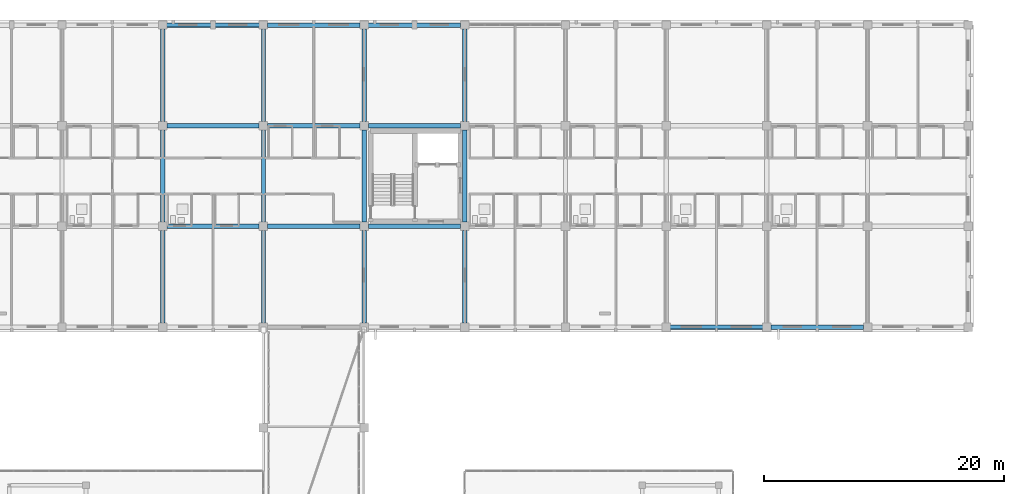
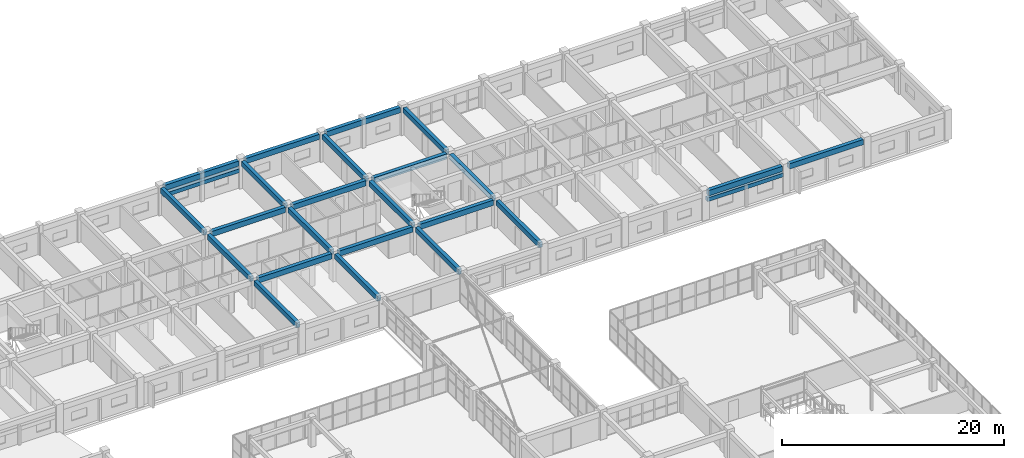
# One storey, part 83 of 148: 25 beams.
"""IFC4 building model written with IfcOpenShell, lengths in metres."""

from ifc_helpers import new_model, si_unit, direction, frame, origin, origin_2d, place, context, subcontext, project, spatial, rectangle, extrude, material, material_profile, profile_set, type_object, element, save


model = new_model("IFC4")

# Units and contexts
model_context = context("Model", 3, precision=1e-05, world=origin(), true_north=direction((0.0, 1.0)))
body_context = subcontext(model_context, "Body", "Model", "MODEL_VIEW")
ifc_project = project(units=[si_unit("LENGTHUNIT", "METRE"), si_unit("AREAUNIT", "SQUARE_METRE"), si_unit("VOLUMEUNIT", "CUBIC_METRE"), si_unit("PLANEANGLEUNIT", "RADIAN"), si_unit("MASSUNIT", "GRAM", prefix="KILO")], contexts=[model_context])

# Site, building, storey
site_placement = place(None, origin())
site = spatial("IfcSite", under=ifc_project, at=site_placement, CompositionType="ELEMENT")
building_placement = place(site_placement, origin())
building = spatial("IfcBuilding", under=site, at=building_placement, Name="Trelvath General Hospital", CompositionType="ELEMENT")
storey_placement = place(building_placement, frame((0.0, 0.0, 12.89990234375)))
storey = spatial("IfcBuildingStorey", under=building, at=storey_placement, Name="L03", CompositionType="ELEMENT", Elevation=12.89990234375)

# Beams
ifc_material_1 = material(Name="Concrete C35/45", Category="concrete")
ifc_material_profile_1 = material_profile(ifc_material_1, rectangle(XDim=0.360107421875, YDim=0.56005859375, at=origin_2d()), Name="RCB360x560")
ifc_profile_set_1 = profile_set([ifc_material_profile_1], Name="Concrete C35/45")
beam_type_1 = type_object("IfcBeamType", Name="Beam RC360x560", PredefinedType="BEAM", material=ifc_profile_set_1)
beam_1_placement = place(storey_placement, frame((67.199951171875, 92.7451171875, 2.739990234375), z_axis=(0.0, 1.0, 0.0), x_axis=(-1.0, 0.0, 0.0)))
element("IfcBeam", 1, at=beam_1_placement, inside=storey, type_object=beam_type_1, Name="Grid Beam BY-308L", PredefinedType="BEAM", context=body_context, shape_type="SweptSolid", body=[
    extrude(rectangle(XDim=0.360107421875, YDim=0.56005859375, at=origin_2d()), origin(), (0.0, 0.0, 1.0), 7.699951171875),
])
beam_2_placement = place(storey_placement, frame((67.199951171875, 101.155029296875, 2.739990234375), z_axis=(0.0, 1.0, 0.0), x_axis=(-1.0, 0.0, 0.0)))
element("IfcBeam", 2, at=beam_2_placement, inside=storey, type_object=beam_type_1, Name="Grid Beam BY-308M", PredefinedType="BEAM", context=body_context, shape_type="SweptSolid", body=[
    extrude(rectangle(XDim=0.360107421875, YDim=0.56005859375, at=origin_2d()), origin(), (0.0, 0.0, 1.0), 7.68994140625),
])
for number, where, z_axis, x_axis, name in (
    (3, (67.199951171875, 109.554931640625, 2.739990234375), (0.0, 1.0, 0.0), (-1.0, 0.0, 0.0), "Grid Beam BY-308N"),
    (4, (75.60009765625, 92.7451171875, 2.739990234375), (0.0, 1.0, 0.0), (-1.0, 0.0, 0.0), "Grid Beam BY-309L"),
):
    element("IfcBeam", number, at=place(storey_placement, frame(where, z_axis=z_axis, x_axis=x_axis)), inside=storey, type_object=beam_type_1, Name=name, PredefinedType="BEAM", context=body_context, shape_type="SweptSolid", body=[
        extrude(rectangle(XDim=0.360107421875, YDim=0.56005859375, at=origin_2d()), origin(), (0.0, 0.0, 1.0), 7.699951171875),
    ])
beam_3_placement = place(storey_placement, frame((75.60009765625, 101.155029296875, 2.739990234375), z_axis=(0.0, 1.0, 0.0), x_axis=(-1.0, 0.0, 0.0)))
element("IfcBeam", 5, at=beam_3_placement, inside=storey, type_object=beam_type_1, Name="Grid Beam BY-309M", PredefinedType="BEAM", context=body_context, shape_type="SweptSolid", body=[
    extrude(rectangle(XDim=0.360107421875, YDim=0.56005859375, at=origin_2d()), origin(), (0.0, 0.0, 1.0), 7.68994140625),
])
for number, where, z_axis, x_axis, name in (
    (6, (75.60009765625, 109.554931640625, 2.739990234375), (0.0, 1.0, 0.0), (-1.0, 0.0, 0.0), "Grid Beam BY-309N"),
    (7, (84.0, 92.7451171875, 2.739990234375), (0.0, 1.0, 0.0), (-1.0, 0.0, 0.0), "Grid Beam BY-310L"),
):
    element("IfcBeam", number, at=place(storey_placement, frame(where, z_axis=z_axis, x_axis=x_axis)), inside=storey, type_object=beam_type_1, Name=name, PredefinedType="BEAM", context=body_context, shape_type="SweptSolid", body=[
        extrude(rectangle(XDim=0.360107421875, YDim=0.56005859375, at=origin_2d()), origin(), (0.0, 0.0, 1.0), 7.699951171875),
    ])
beam_4_placement = place(storey_placement, frame((84.0, 101.155029296875, 2.739990234375), z_axis=(0.0, 1.0, 0.0), x_axis=(-1.0, 0.0, 0.0)))
element("IfcBeam", 8, at=beam_4_placement, inside=storey, type_object=beam_type_1, Name="Grid Beam BY-310M", PredefinedType="BEAM", context=body_context, shape_type="SweptSolid", body=[
    extrude(rectangle(XDim=0.360107421875, YDim=0.56005859375, at=origin_2d()), origin(), (0.0, 0.0, 1.0), 7.68994140625),
])
for number, where, z_axis, x_axis, name in (
    (9, (84.0, 109.554931640625, 2.739990234375), (0.0, 1.0, 0.0), (-1.0, 0.0, 0.0), "Grid Beam BY-310N"),
    (10, (92.39990234375, 92.7451171875, 2.739990234375), (0.0, 1.0, 0.0), (-1.0, 0.0, 0.0), "Grid Beam BY-311L"),
):
    element("IfcBeam", number, at=place(storey_placement, frame(where, z_axis=z_axis, x_axis=x_axis)), inside=storey, type_object=beam_type_1, Name=name, PredefinedType="BEAM", context=body_context, shape_type="SweptSolid", body=[
        extrude(rectangle(XDim=0.360107421875, YDim=0.56005859375, at=origin_2d()), origin(), (0.0, 0.0, 1.0), 7.699951171875),
    ])
beam_5_placement = place(storey_placement, frame((92.39990234375, 101.155029296875, 2.739990234375), z_axis=(0.0, 1.0, 0.0), x_axis=(-1.0, 0.0, 0.0)))
element("IfcBeam", 11, at=beam_5_placement, inside=storey, type_object=beam_type_1, Name="Grid Beam BY-311M", PredefinedType="BEAM", context=body_context, shape_type="SweptSolid", body=[
    extrude(rectangle(XDim=0.360107421875, YDim=0.56005859375, at=origin_2d()), origin(), (0.0, 0.0, 1.0), 7.68994140625),
])
beam_6_placement = place(storey_placement, frame((92.39990234375, 109.554931640625, 2.739990234375), z_axis=(0.0, 1.0, 0.0), x_axis=(-1.0, 0.0, 0.0)))
element("IfcBeam", 12, at=beam_6_placement, inside=storey, type_object=beam_type_1, Name="Grid Beam BY-311N", PredefinedType="BEAM", context=body_context, shape_type="SweptSolid", body=[
    extrude(rectangle(XDim=0.360107421875, YDim=0.56005859375, at=origin_2d()), origin(), (0.0, 0.0, 1.0), 7.699951171875),
])
ifc_material_2 = material(Name="Concrete C35/45", Category="concrete")
ifc_material_profile_2 = material_profile(ifc_material_2, rectangle(XDim=0.3798828125, YDim=0.580078125, at=origin_2d()), Name="RCB380x580")
ifc_profile_set_2 = profile_set([ifc_material_profile_2], Name="Concrete C35/45")
beam_type_2 = type_object("IfcBeamType", Name="Beam RC380x580", PredefinedType="BEAM", material=ifc_profile_set_2)
for number, where, z_axis, x_axis, name in (
    (13, (67.554931640625, 100.800048828125, 2.72998046875), (1.0, 0.0, 0.0), (0.0, 1.0, 0.0), "Grid Beam BX-308M"),
    (14, (67.554931640625, 109.199951171875, 2.72998046875), (1.0, 0.0, 0.0), (0.0, 1.0, 0.0), "Grid Beam BX-308N"),
):
    element("IfcBeam", number, at=place(storey_placement, frame(where, z_axis=z_axis, x_axis=x_axis)), inside=storey, type_object=beam_type_2, Name=name, PredefinedType="BEAM", context=body_context, shape_type="SweptSolid", body=[
        extrude(rectangle(XDim=0.3798828125, YDim=0.580078125, at=origin_2d()), origin(), (0.0, 0.0, 1.0), 7.690185546875),
    ])
beam_7_placement = place(storey_placement, frame((67.544921875, 117.60009765625, 2.72998046875), z_axis=(1.0, 0.0, 0.0), x_axis=(0.0, 1.0, 0.0)))
element("IfcBeam", 15, at=beam_7_placement, inside=storey, type_object=beam_type_2, Name="Grid Beam BX-308O", PredefinedType="BEAM", context=body_context, shape_type="SweptSolid", body=[
    extrude(rectangle(XDim=0.3798828125, YDim=0.580078125, at=origin_2d()), origin(), (0.0, 0.0, 1.0), 7.7099609375),
])
for number, where, z_axis, x_axis, name in (
    (16, (75.955078125, 100.800048828125, 2.72998046875), (1.0, 0.0, 0.0), (0.0, 1.0, 0.0), "Grid Beam BX-309M"),
    (17, (75.955078125, 109.199951171875, 2.72998046875), (1.0, 0.0, 0.0), (0.0, 1.0, 0.0), "Grid Beam BX-309N"),
):
    element("IfcBeam", number, at=place(storey_placement, frame(where, z_axis=z_axis, x_axis=x_axis)), inside=storey, type_object=beam_type_2, Name=name, PredefinedType="BEAM", context=body_context, shape_type="SweptSolid", body=[
        extrude(rectangle(XDim=0.3798828125, YDim=0.580078125, at=origin_2d()), origin(), (0.0, 0.0, 1.0), 7.68994140625),
    ])
beam_8_placement = place(storey_placement, frame((75.945068359375, 117.60009765625, 2.72998046875), z_axis=(1.0, 0.0, 0.0), x_axis=(0.0, 1.0, 0.0)))
element("IfcBeam", 18, at=beam_8_placement, inside=storey, type_object=beam_type_2, Name="Grid Beam BX-309O", PredefinedType="BEAM", context=body_context, shape_type="SweptSolid", body=[
    extrude(rectangle(XDim=0.3798828125, YDim=0.580078125, at=origin_2d()), origin(), (0.0, 0.0, 1.0), 7.7099609375),
])
for number, where, z_axis, x_axis, name in (
    (19, (84.35498046875, 100.800048828125, 2.72998046875), (1.0, 0.0, 0.0), (0.0, 1.0, 0.0), "Grid Beam BX-310M"),
    (20, (84.35498046875, 109.199951171875, 2.72998046875), (1.0, 0.0, 0.0), (0.0, 1.0, 0.0), "Grid Beam BX-310N"),
):
    element("IfcBeam", number, at=place(storey_placement, frame(where, z_axis=z_axis, x_axis=x_axis)), inside=storey, type_object=beam_type_2, Name=name, PredefinedType="BEAM", context=body_context, shape_type="SweptSolid", body=[
        extrude(rectangle(XDim=0.3798828125, YDim=0.580078125, at=origin_2d()), origin(), (0.0, 0.0, 1.0), 7.68994140625),
    ])
for number, where, z_axis, x_axis, name in (
    (21, (84.344970703125, 117.60009765625, 2.72998046875), (1.0, 0.0, 0.0), (0.0, 1.0, 0.0), "Grid Beam BX-310O"),
    (22, (109.544921875, 92.39990234375, 2.72998046875), (1.0, 0.0, 0.0), (0.0, 1.0, 0.0), "Grid Beam BX-313L"),
    (23, (117.945068359375, 92.39990234375, 2.72998046875), (1.0, 0.0, 0.0), (0.0, 1.0, 0.0), "Grid Beam BX-314L"),
):
    element("IfcBeam", number, at=place(storey_placement, frame(where, z_axis=z_axis, x_axis=x_axis)), inside=storey, type_object=beam_type_2, Name=name, PredefinedType="BEAM", context=body_context, shape_type="SweptSolid", body=[
        extrude(rectangle(XDim=0.3798828125, YDim=0.580078125, at=origin_2d()), origin(), (0.0, 0.0, 1.0), 7.7099609375),
    ])
ifc_material_3 = material(Name="Precast concrete C40/50", Category="concrete")
ifc_material_profile_3 = material_profile(ifc_material_3, rectangle(XDim=0.35009765625, YDim=0.419921875, at=origin_2d()), Name="PCL350x420")
ifc_profile_set_3 = profile_set([ifc_material_profile_3], Name="Precast concrete C40/50")
beam_type_3 = type_object("IfcBeamType", Name="Lintel PC350x420", PredefinedType="LINTEL", material=ifc_profile_set_3)
for number, where, z_axis, x_axis, name in (
    (24, (67.465087890625, 117.60009765625, 1.920166015625), (1.0, 0.0, 0.0), (0.0, 1.0, 0.0), "Precast Window Brow Lintel L03-379"),
    (25, (117.3349609375, 92.39990234375, 2.02001953125), (-1.0, 0.0, 0.0), (0.0, -1.0, 0.0), "Precast Window Brow Lintel L03-404"),
):
    element("IfcBeam", number, at=place(storey_placement, frame(where, z_axis=z_axis, x_axis=x_axis)), inside=storey, type_object=beam_type_3, Name=name, PredefinedType="LINTEL", context=body_context, shape_type="SweptSolid", body=[
        extrude(rectangle(XDim=0.35009765625, YDim=0.419921875, at=origin_2d()), origin(), (0.0, 0.0, 1.0), 7.869873046875),
    ])

save(model, "model.ifc")
